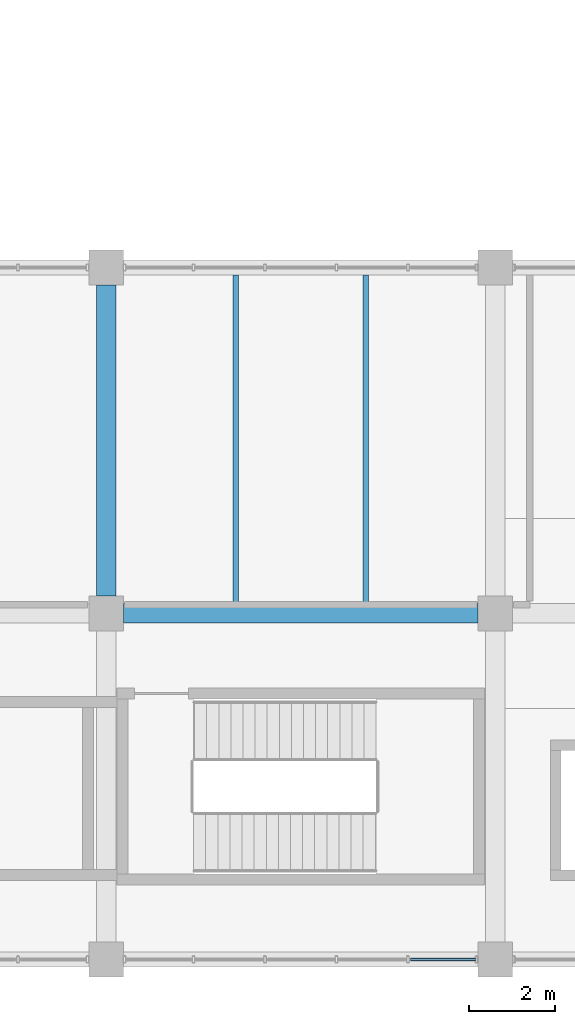
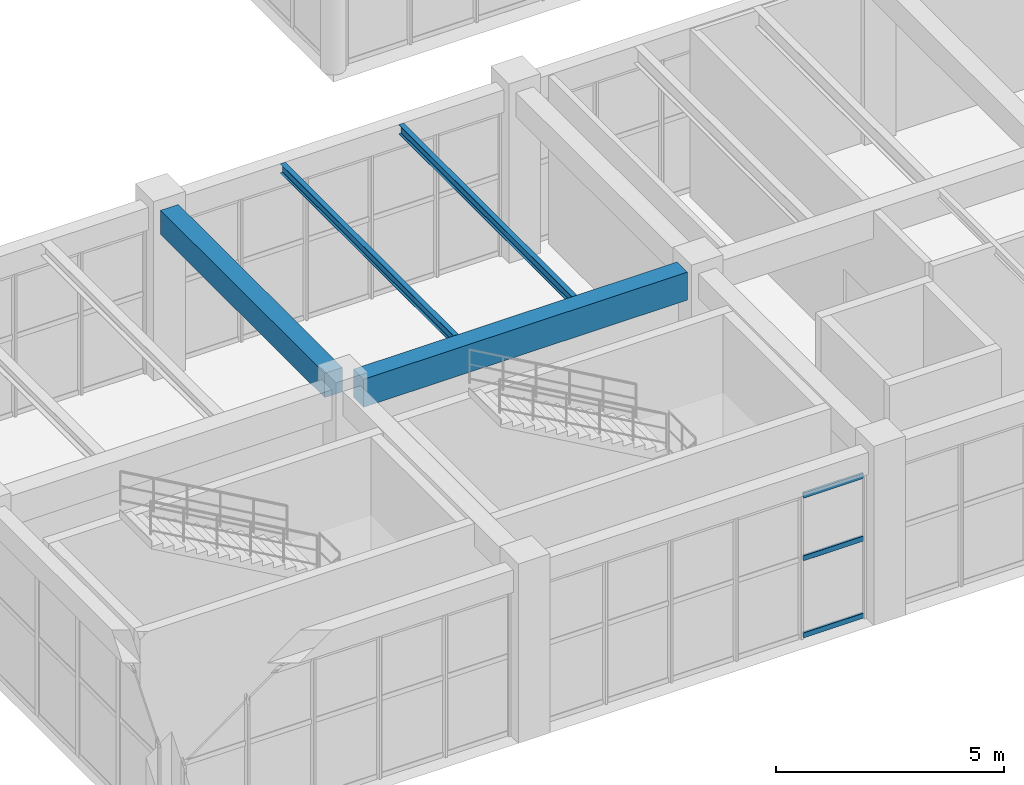
# One storey, part 14 of 178: 4 beams, 3 members, 1 element without a shape of its own.
"""IFC4 building model written with IfcOpenShell, lengths in metres."""

from ifc_helpers import new_model, si_unit, derived_unit, direction, frame, origin, origin_2d, place, context, subcontext, project, spatial, rectangle, hollow_rectangle, i_section, extrude, material, material_profile, profile_set, type_object, element, aggregate, save


model = new_model("IFC4")

# Units and contexts
model_context = context("Model", 3, precision=1e-05, world=origin(), true_north=direction((0.0, 1.0)))
body_context = subcontext(model_context, "Body", "Model", "MODEL_VIEW")
ifc_project = project(units=[si_unit("LENGTHUNIT", "METRE"), si_unit("AREAUNIT", "SQUARE_METRE"), si_unit("VOLUMEUNIT", "CUBIC_METRE"), si_unit("PLANEANGLEUNIT", "RADIAN"), si_unit("MASSUNIT", "GRAM", prefix="KILO"), derived_unit("THERMALTRANSMITTANCEUNIT", [(si_unit("MASSUNIT", "GRAM", prefix="KILO"), 1), (si_unit("TIMEUNIT", "SECOND"), -3), (si_unit("THERMODYNAMICTEMPERATUREUNIT", "KELVIN"), -1)])], contexts=[model_context])

# Site, building, storey
site_placement = place(None, origin())
site = spatial("IfcSite", under=ifc_project, at=site_placement, CompositionType="ELEMENT")
building_placement = place(site_placement, origin())
building = spatial("IfcBuilding", under=site, at=building_placement, Name="Zhenchuan Archway Interchange", CompositionType="ELEMENT")
storey_placement = place(building_placement, frame((0.0, 0.0, 5.39990234375)))
storey = spatial("IfcBuildingStorey", under=building, at=storey_placement, Name="L01", CompositionType="ELEMENT", Elevation=5.39990234375)

# Beams
ifc_material_1 = material(Name="Concrete C40", Category="concrete")
ifc_material_profile_1 = material_profile(ifc_material_1, rectangle(XDim=0.449951171875, YDim=0.64990234375, at=origin_2d()), Name="RC 450x650")
ifc_profile_set_1 = profile_set([ifc_material_profile_1], Name="Concrete C40")
beam_type_1 = type_object("IfcBeamType", Name="BM_RC_450x650", PredefinedType="BEAM", material=ifc_profile_set_1)
beam_1_placement = place(storey_placement, frame((9.0, 8.39990234375, 4.18505859375), z_axis=(0.0, 1.0, 0.0), x_axis=(-1.0, 0.0, 0.0)))
element("IfcBeam", 1, at=beam_1_placement, inside=storey, type_object=beam_type_1, Name="Beam 2:B-C (L01)", PredefinedType="BEAM", context=body_context, shape_type="SweptSolid", body=[
    extrude(rectangle(XDim=0.449951171875, YDim=0.64990234375, at=origin_2d()), origin(), (0.0, 0.0, 1.0), 7.2001953125),
])
ifc_material_profile_2 = material_profile(ifc_material_1, rectangle(XDim=0.449951171875, YDim=0.75, at=origin_2d()), Name="RC 450x750")
ifc_profile_set_2 = profile_set([ifc_material_profile_2], Name="Concrete C40")
beam_type_2 = type_object("IfcBeamType", Name="BM_RC_450x750", PredefinedType="BEAM", material=ifc_profile_set_2)
beam_2_placement = place(storey_placement, frame((9.39990234375, 8.0, 4.135009765625), z_axis=(1.0, 0.0, 0.0), x_axis=(0.0, 1.0, 0.0)))
element("IfcBeam", 2, at=beam_2_placement, inside=storey, type_object=beam_type_2, Name="Beam B:2-3 (L01)", PredefinedType="BEAM", context=body_context, shape_type="SweptSolid", body=[
    extrude(rectangle(XDim=0.449951171875, YDim=0.75, at=origin_2d()), origin(), (0.0, 0.0, 1.0), 8.2001953125),
])

# Curtain wall, members
ifc_material_2 = material(Name="Anodised Aluminium", Category="aluminium")
curtain_wall_type = type_object("IfcCurtainWallType", Name="CW_UNIT_2", PredefinedType="NOTDEFINED", material=ifc_material_2)
curtain_wall_placement = place(storey_placement, origin())
curtain_wall = element("IfcCurtainWall", 3, at=curtain_wall_placement, inside=storey, type_object=curtain_wall_type, Name="Unitised curtain wall CW:L01:085", PredefinedType="NOTDEFINED")
ifc_material_profile_3 = material_profile(ifc_material_2, hollow_rectangle(XDim=0.06005859375, YDim=0.139892578125, WallThickness=0.00341796875, InnerFilletRadius=0.00341796875, OuterFilletRadius=0.007080078125, at=origin_2d()), Name="ALU 140x60x3.5")
ifc_profile_set_3 = profile_set([ifc_material_profile_3], Name="Anodised Aluminium")
member_type = type_object("IfcMemberType", Name="CW_TRN_140", PredefinedType="USERDEFINED", material=ifc_profile_set_3)
member_1_placement = place(storey_placement, frame((17.552001953125, 0.0, 0.06005859375), z_axis=(-1.0, 0.0, 0.0), x_axis=(0.0, -1.0, 0.0)))
member_1 = element("IfcMember", 4, at=member_1_placement, type_object=member_type, Name="CW:L01:085 transom 0-1", ObjectType="TRANSOM", PredefinedType="USERDEFINED", context=body_context, shape_type="SweptSolid", body=[
    extrude(hollow_rectangle(XDim=0.06005859375, YDim=0.139892578125, WallThickness=0.00341796875, InnerFilletRadius=0.00341796875, OuterFilletRadius=0.007080078125, at=origin_2d()), origin(), (0.0, 0.0, 1.0), 1.5126953125),
])
member_2_placement = place(storey_placement, frame((17.552001953125, 0.0, 2.123046875), z_axis=(-1.0, 0.0, 0.0), x_axis=(0.0, -1.0, 0.0)))
member_2 = element("IfcMember", 5, at=member_2_placement, type_object=member_type, Name="CW:L01:085 transom 0-2", ObjectType="TRANSOM", PredefinedType="USERDEFINED", context=body_context, shape_type="SweptSolid", body=[
    extrude(hollow_rectangle(XDim=0.06005859375, YDim=0.139892578125, WallThickness=0.00341796875, InnerFilletRadius=0.00341796875, OuterFilletRadius=0.007080078125, at=origin_2d()), origin(), (0.0, 0.0, 1.0), 1.5126953125),
])
member_3_placement = place(storey_placement, frame((17.552001953125, 0.0, 3.800048828125), z_axis=(-1.0, 0.0, 0.0), x_axis=(0.0, -1.0, 0.0)))
member_3 = element("IfcMember", 6, at=member_3_placement, type_object=member_type, Name="CW:L01:085 transom 0-3", ObjectType="TRANSOM", PredefinedType="USERDEFINED", context=body_context, shape_type="SweptSolid", body=[
    extrude(hollow_rectangle(XDim=0.06005859375, YDim=0.139892578125, WallThickness=0.00341796875, InnerFilletRadius=0.00341796875, OuterFilletRadius=0.007080078125, at=origin_2d()), origin(), (0.0, 0.0, 1.0), 1.5126953125),
])
aggregate(curtain_wall, [member_1, member_2, member_3])

# Beams
ifc_material_3 = material(Name="Steel Q355", Category="steel")
ifc_material_profile_4 = material_profile(ifc_material_3, i_section(OverallWidth=0.125, OverallDepth=0.25, WebThickness=0.006103515625, FlangeThickness=0.009033203125, FilletRadius=0.011962890625, at=origin_2d()), Name="HN 250x125")
ifc_profile_set_4 = profile_set([ifc_material_profile_4], Name="Steel Q355")
beam_type_3 = type_object("IfcBeamType", Name="JST_STL_HN250", PredefinedType="JOIST", material=ifc_profile_set_4)
for number, where, z_axis, x_axis, name in (
    (7, (12.0, 8.22509765625, 4.385009765625), (0.0, 1.0, 0.0), (-1.0, 0.0, 0.0), "Secondary joist 2-3/B-C #1 (L01)"),
    (8, (15.0, 8.22509765625, 4.385009765625), (0.0, 1.0, 0.0), (-1.0, 0.0, 0.0), "Secondary joist 2-3/B-C #2 (L01)"),
):
    element("IfcBeam", number, at=place(storey_placement, frame(where, z_axis=z_axis, x_axis=x_axis)), inside=storey, type_object=beam_type_3, Name=name, PredefinedType="JOIST", context=body_context, shape_type="SweptSolid", body=[
        extrude(i_section(OverallWidth=0.125, OverallDepth=0.25, WebThickness=0.006103515625, FlangeThickness=0.009033203125, FilletRadius=0.011962890625, at=origin_2d()), origin(), (0.0, 0.0, 1.0), 7.599853515625),
    ])

save(model, "model.ifc")
